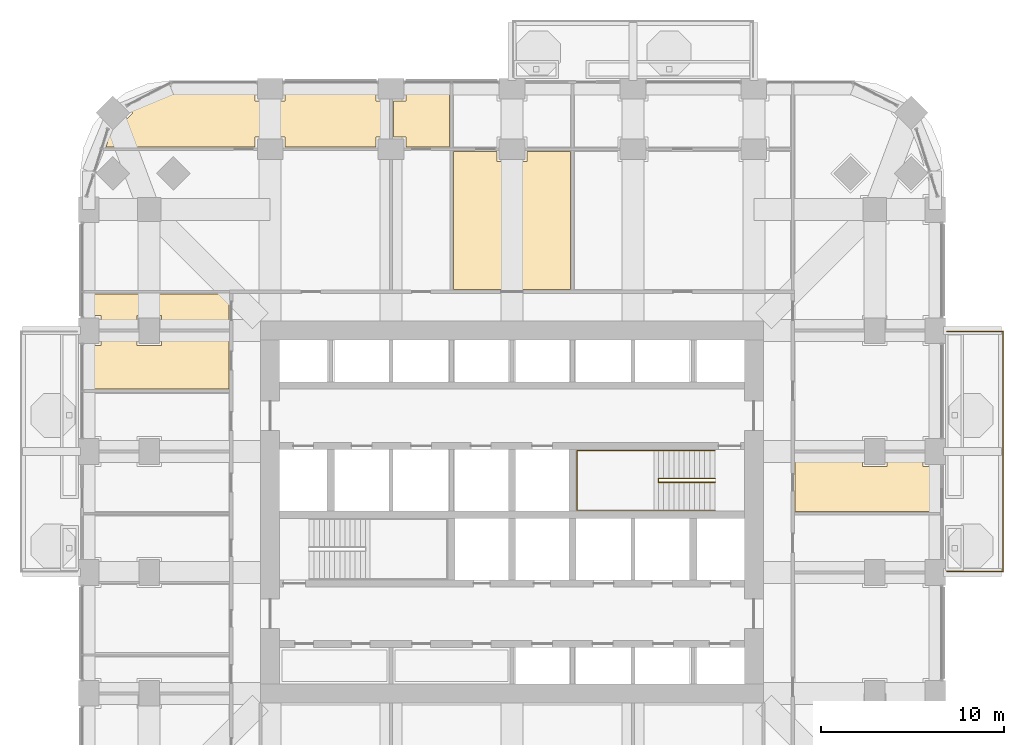
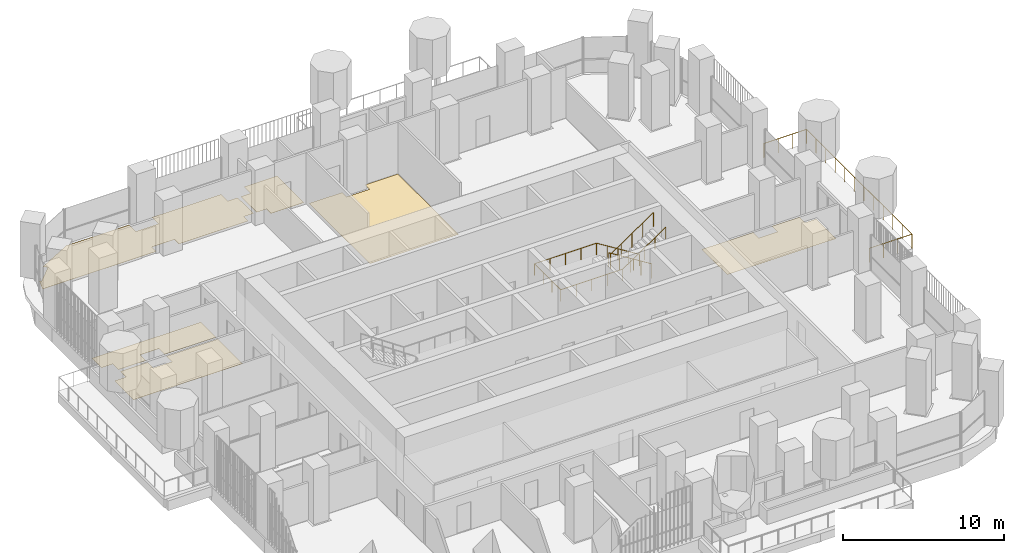
# One storey, part 20 of 22: 6 coverings, 3 railings.
"""IFC4 building model written with IfcOpenShell, lengths in metres."""

from ifc_helpers import new_model, si_unit, direction, frame, origin, place, context, subcontext, project, spatial, polyline, outline, extrude, material, layer, layer_set, type_object, element, save


model = new_model("IFC4")

# Units and contexts
model_context = context("Model", 3, precision=1e-05, world=origin(), true_north=direction((0.0, 1.0)))
body_context = subcontext(model_context, "Body", "Model", "MODEL_VIEW")
ifc_project = project(units=[si_unit("LENGTHUNIT", "METRE"), si_unit("AREAUNIT", "SQUARE_METRE"), si_unit("VOLUMEUNIT", "CUBIC_METRE"), si_unit("PLANEANGLEUNIT", "RADIAN"), si_unit("MASSUNIT", "GRAM", prefix="KILO")], contexts=[model_context])

# Site, building, storey
site_placement = place(None, origin())
site = spatial("IfcSite", under=ifc_project, at=site_placement, CompositionType="ELEMENT")
building_placement = place(site_placement, origin())
building = spatial("IfcBuilding", under=site, at=building_placement, Name="Cobogo Forest Laboratory Tower", CompositionType="ELEMENT")
storey_placement = place(building_placement, frame((0.0, 0.0, 111.60009765625)))
storey = spatial("IfcBuildingStorey", under=building, at=storey_placement, Name="L25", CompositionType="ELEMENT", Elevation=111.60009765625)

# Railing
ifc_material_1 = material(Name="Laminated glass balustrade", Category="glass")
railing_type_1 = type_object("IfcRailingType", Name="BG1 glass balustrade 1100", PredefinedType="GUARDRAIL", material=ifc_material_1)
railing_1_placement = place(storey_placement, frame((50.14990234375, 19.85009765625, 0.0)))
element("IfcRailing", 1, at=railing_1_placement, inside=storey, type_object=railing_type_1, Name="Balcony balustrade BAL-E1 L25", PredefinedType="GUARDRAIL", context=body_context, shape_type="SweptSolid", body=[
    extrude(outline(polyline([(0.022216796875, 0.00927734375), (0.00927734375, 0.022216796875), (-0.00927734375, 0.022216796875), (-0.022216796875, 0.00927734375), (-0.022216796875, -0.00927734375), (-0.00927734375, -0.022216796875), (0.00927734375, -0.022216796875), (0.022216796875, -0.00927734375), (0.022216796875, 0.00927734375)])), frame((0.0, 0.0, 1.077880859375), z_axis=(1.0, 0.0, 0.0), x_axis=(0.0, 1.0, 0.0)), (0.0, 0.0, 1.0), 3.050048828125),
    extrude(outline(polyline([(0.022216796875, 0.00927734375), (0.00927734375, 0.022216796875), (-0.00927734375, 0.022216796875), (-0.022216796875, 0.00927734375), (-0.022216796875, -0.00927734375), (-0.00927734375, -0.022216796875), (0.00927734375, -0.022216796875), (0.022216796875, -0.00927734375), (0.022216796875, 0.00927734375)])), frame((3.050048828125, 0.0, 1.077880859375), z_axis=(0.0, 1.0, 0.0), x_axis=(-1.0, 0.0, 0.0)), (0.0, 0.0, 1.0), 13.099853515625),
    extrude(outline(polyline([(0.022216796875, 0.00927734375), (0.00927734375, 0.022216796875), (-0.00927734375, 0.022216796875), (-0.022216796875, 0.00927734375), (-0.022216796875, -0.00927734375), (-0.00927734375, -0.022216796875), (0.00927734375, -0.022216796875), (0.022216796875, -0.00927734375), (0.022216796875, 0.00927734375)])), frame((3.050048828125, 13.099853515625, 1.077880859375), z_axis=(-1.0, 0.0, 0.0), x_axis=(0.0, -1.0, 0.0)), (0.0, 0.0, 1.0), 3.050048828125),
    extrude(outline(polyline([(0.019287109375, 0.008056640625), (0.008056640625, 0.019287109375), (-0.008056640625, 0.019287109375), (-0.019287109375, 0.008056640625), (-0.019287109375, -0.008056640625), (-0.008056640625, -0.019287109375), (0.008056640625, -0.019287109375), (0.019287109375, -0.008056640625), (0.019287109375, 0.008056640625)])), origin(), (0.0, 0.0, 1.0), 1.077880859375),
    extrude(outline(polyline([(0.019287109375, 0.008056640625), (0.008056640625, 0.019287109375), (-0.008056640625, 0.019287109375), (-0.019287109375, 0.008056640625), (-0.019287109375, -0.008056640625), (-0.008056640625, -0.019287109375), (0.008056640625, -0.019287109375), (0.019287109375, -0.008056640625), (0.019287109375, 0.008056640625)])), frame((1.0166015625, 0.0, 0.0)), (0.0, 0.0, 1.0), 1.077880859375),
    extrude(outline(polyline([(0.019287109375, 0.008056640625), (0.008056640625, 0.019287109375), (-0.008056640625, 0.019287109375), (-0.019287109375, 0.008056640625), (-0.019287109375, -0.008056640625), (-0.008056640625, -0.019287109375), (0.008056640625, -0.019287109375), (0.019287109375, -0.008056640625), (0.019287109375, 0.008056640625)])), frame((2.033447265625, 0.0, 0.0)), (0.0, 0.0, 1.0), 1.077880859375),
    extrude(outline(polyline([(0.019287109375, 0.008056640625), (0.008056640625, 0.019287109375), (-0.008056640625, 0.019287109375), (-0.019287109375, 0.008056640625), (-0.019287109375, -0.008056640625), (-0.008056640625, -0.019287109375), (0.008056640625, -0.019287109375), (0.019287109375, -0.008056640625), (0.019287109375, 0.008056640625)])), frame((3.050048828125, 0.0, 0.0)), (0.0, 0.0, 1.0), 1.077880859375),
    extrude(outline(polyline([(0.019287109375, 0.008056640625), (0.008056640625, 0.019287109375), (-0.008056640625, 0.019287109375), (-0.019287109375, 0.008056640625), (-0.019287109375, -0.008056640625), (-0.008056640625, -0.019287109375), (0.008056640625, -0.019287109375), (0.019287109375, -0.008056640625), (0.019287109375, 0.008056640625)])), frame((3.050048828125, 1.19091796875, 0.0)), (0.0, 0.0, 1.0), 1.077880859375),
    extrude(outline(polyline([(0.019287109375, 0.008056640625), (0.008056640625, 0.019287109375), (-0.008056640625, 0.019287109375), (-0.019287109375, 0.008056640625), (-0.019287109375, -0.008056640625), (-0.008056640625, -0.019287109375), (0.008056640625, -0.019287109375), (0.019287109375, -0.008056640625), (0.019287109375, 0.008056640625)])), frame((3.050048828125, 2.3818359375, 0.0)), (0.0, 0.0, 1.0), 1.077880859375),
    extrude(outline(polyline([(0.019287109375, 0.008056640625), (0.008056640625, 0.019287109375), (-0.008056640625, 0.019287109375), (-0.019287109375, 0.008056640625), (-0.019287109375, -0.008056640625), (-0.008056640625, -0.019287109375), (0.008056640625, -0.019287109375), (0.019287109375, -0.008056640625), (0.019287109375, 0.008056640625)])), frame((3.050048828125, 3.57275390625, 0.0)), (0.0, 0.0, 1.0), 1.077880859375),
    extrude(outline(polyline([(0.019287109375, 0.008056640625), (0.008056640625, 0.019287109375), (-0.008056640625, 0.019287109375), (-0.019287109375, 0.008056640625), (-0.019287109375, -0.008056640625), (-0.008056640625, -0.019287109375), (0.008056640625, -0.019287109375), (0.019287109375, -0.008056640625), (0.019287109375, 0.008056640625)])), frame((3.050048828125, 4.763671875, 0.0)), (0.0, 0.0, 1.0), 1.077880859375),
    extrude(outline(polyline([(0.019287109375, 0.008056640625), (0.008056640625, 0.019287109375), (-0.008056640625, 0.019287109375), (-0.019287109375, 0.008056640625), (-0.019287109375, -0.008056640625), (-0.008056640625, -0.019287109375), (0.008056640625, -0.019287109375), (0.019287109375, -0.008056640625), (0.019287109375, 0.008056640625)])), frame((3.050048828125, 5.95458984375, 0.0)), (0.0, 0.0, 1.0), 1.077880859375),
    extrude(outline(polyline([(0.019287109375, 0.008056640625), (0.008056640625, 0.019287109375), (-0.008056640625, 0.019287109375), (-0.019287109375, 0.008056640625), (-0.019287109375, -0.008056640625), (-0.008056640625, -0.019287109375), (0.008056640625, -0.019287109375), (0.019287109375, -0.008056640625), (0.019287109375, 0.008056640625)])), frame((3.050048828125, 7.145263671875, 0.0)), (0.0, 0.0, 1.0), 1.077880859375),
    extrude(outline(polyline([(0.019287109375, 0.008056640625), (0.008056640625, 0.019287109375), (-0.008056640625, 0.019287109375), (-0.019287109375, 0.008056640625), (-0.019287109375, -0.008056640625), (-0.008056640625, -0.019287109375), (0.008056640625, -0.019287109375), (0.019287109375, -0.008056640625), (0.019287109375, 0.008056640625)])), frame((3.050048828125, 8.336181640625, 0.0)), (0.0, 0.0, 1.0), 1.077880859375),
    extrude(outline(polyline([(0.019287109375, 0.008056640625), (0.008056640625, 0.019287109375), (-0.008056640625, 0.019287109375), (-0.019287109375, 0.008056640625), (-0.019287109375, -0.008056640625), (-0.008056640625, -0.019287109375), (0.008056640625, -0.019287109375), (0.019287109375, -0.008056640625), (0.019287109375, 0.008056640625)])), frame((3.050048828125, 9.527099609375, 0.0)), (0.0, 0.0, 1.0), 1.077880859375),
    extrude(outline(polyline([(0.019287109375, 0.008056640625), (0.008056640625, 0.019287109375), (-0.008056640625, 0.019287109375), (-0.019287109375, 0.008056640625), (-0.019287109375, -0.008056640625), (-0.008056640625, -0.019287109375), (0.008056640625, -0.019287109375), (0.019287109375, -0.008056640625), (0.019287109375, 0.008056640625)])), frame((3.050048828125, 10.718017578125, 0.0)), (0.0, 0.0, 1.0), 1.077880859375),
    extrude(outline(polyline([(0.019287109375, 0.008056640625), (0.008056640625, 0.019287109375), (-0.008056640625, 0.019287109375), (-0.019287109375, 0.008056640625), (-0.019287109375, -0.008056640625), (-0.008056640625, -0.019287109375), (0.008056640625, -0.019287109375), (0.019287109375, -0.008056640625), (0.019287109375, 0.008056640625)])), frame((3.050048828125, 11.908935546875, 0.0)), (0.0, 0.0, 1.0), 1.077880859375),
    extrude(outline(polyline([(0.019287109375, 0.008056640625), (0.008056640625, 0.019287109375), (-0.008056640625, 0.019287109375), (-0.019287109375, 0.008056640625), (-0.019287109375, -0.008056640625), (-0.008056640625, -0.019287109375), (0.008056640625, -0.019287109375), (0.019287109375, -0.008056640625), (0.019287109375, 0.008056640625)])), frame((3.050048828125, 13.099853515625, 0.0)), (0.0, 0.0, 1.0), 1.077880859375),
    extrude(outline(polyline([(0.019287109375, 0.008056640625), (0.008056640625, 0.019287109375), (-0.008056640625, 0.019287109375), (-0.019287109375, 0.008056640625), (-0.019287109375, -0.008056640625), (-0.008056640625, -0.019287109375), (0.008056640625, -0.019287109375), (0.019287109375, -0.008056640625), (0.019287109375, 0.008056640625)])), frame((2.033447265625, 13.099853515625, 0.0)), (0.0, 0.0, 1.0), 1.077880859375),
    extrude(outline(polyline([(0.019287109375, 0.008056640625), (0.008056640625, 0.019287109375), (-0.008056640625, 0.019287109375), (-0.019287109375, 0.008056640625), (-0.019287109375, -0.008056640625), (-0.008056640625, -0.019287109375), (0.008056640625, -0.019287109375), (0.019287109375, -0.008056640625), (0.019287109375, 0.008056640625)])), frame((1.0166015625, 13.099853515625, 0.0)), (0.0, 0.0, 1.0), 1.077880859375),
    extrude(outline(polyline([(0.019287109375, 0.008056640625), (0.008056640625, 0.019287109375), (-0.008056640625, 0.019287109375), (-0.019287109375, 0.008056640625), (-0.019287109375, -0.008056640625), (-0.008056640625, -0.019287109375), (0.008056640625, -0.019287109375), (0.019287109375, -0.008056640625), (0.019287109375, 0.008056640625)])), frame((0.0, 13.099853515625, 0.0)), (0.0, 0.0, 1.0), 1.077880859375),
])

# Coverings
ifc_material_2 = material(Name="Carpet tile on raised access floor", Category="flooring")
ifc_layer_1 = layer(ifc_material_2, 0.008056640625)
ifc_layer_set_1 = layer_set([ifc_layer_1], Name="CT1 carpet tile floor 8")
covering_type_1 = type_object("IfcCoveringType", Name="CT1 carpet tile floor 8", PredefinedType="FLOORING", material=ifc_layer_set_1)
covering_1_placement = place(storey_placement, origin())
element("IfcCovering", 2, at=covering_1_placement, inside=storey, type_object=covering_type_1, Name="Carpet floor L25-15", PredefinedType="FLOORING", context=body_context, shape_type="SweptSolid", body=[
    extrude(outline(polyline([(14.02001953125, 43.02001953125), (14.02001953125, 43.570068359375), (12.3798828125, 43.570068359375), (12.3798828125, 43.02001953125), (4.23974609375, 43.02001953125), (4.51611328125, 43.89501953125), (4.617919921875, 43.79296875), (5.70703125, 44.882080078125), (5.480712890625, 45.1083984375), (7.84912109375, 46.35009765625), (12.3798828125, 46.35009765625), (12.3798828125, 45.530029296875), (14.02001953125, 45.530029296875), (14.02001953125, 46.35009765625), (18.97998046875, 46.35009765625), (18.97998046875, 45.530029296875), (19.679931640625, 45.530029296875), (19.679931640625, 43.570068359375), (18.97998046875, 43.570068359375), (18.97998046875, 43.02001953125), (14.02001953125, 43.02001953125)])), origin(), (0.0, 0.0, 1.0), 0.0078125),
])
covering_2_placement = place(storey_placement, origin())
element("IfcCovering", 3, at=covering_2_placement, inside=storey, type_object=covering_type_1, Name="Carpet floor L25-17", PredefinedType="FLOORING", context=body_context, shape_type="SweptSolid", body=[
    extrude(outline(polyline([(20.6201171875, 43.02001953125), (20.6201171875, 43.570068359375), (19.919921875, 43.570068359375), (19.919921875, 45.530029296875), (20.6201171875, 45.530029296875), (20.6201171875, 46.35009765625), (22.97998046875, 46.35009765625), (22.97998046875, 43.02001953125), (20.6201171875, 43.02001953125)])), origin(), (0.0, 0.0, 1.0), 0.0078125),
])
covering_3_placement = place(storey_placement, origin())
element("IfcCovering", 4, at=covering_3_placement, inside=storey, type_object=covering_type_1, Name="Carpet floor L25-28", PredefinedType="FLOORING", context=body_context, shape_type="SweptSolid", body=[
    extrude(outline(polyline([(10.955078125, 29.820068359375), (3.14990234375, 29.820068359375), (3.14990234375, 32.179931640625), (3.969970703125, 32.179931640625), (3.969970703125, 32.8798828125), (5.929931640625, 32.8798828125), (5.929931640625, 32.179931640625), (7.27001953125, 32.179931640625), (7.27001953125, 32.8798828125), (10.955078125, 32.8798828125), (10.955078125, 29.820068359375)])), origin(), (0.0, 0.0, 1.0), 0.0078125),
])
covering_4_placement = place(storey_placement, origin())
element("IfcCovering", 5, at=covering_4_placement, inside=storey, type_object=covering_type_1, Name="Carpet floor L25-29", PredefinedType="FLOORING", context=body_context, shape_type="SweptSolid", body=[
    extrude(outline(polyline([(10.955078125, 33.1201171875), (7.27001953125, 33.1201171875), (7.27001953125, 33.820068359375), (5.929931640625, 33.820068359375), (5.929931640625, 33.1201171875), (3.969970703125, 33.1201171875), (3.969970703125, 33.820068359375), (3.14990234375, 33.820068359375), (3.14990234375, 35.0048828125), (10.955078125, 35.0048828125), (10.955078125, 33.1201171875)])), origin(), (0.0, 0.0, 1.0), 0.0078125),
])

# Railings
ifc_material_3 = material(Name="Steel balustrade", Category="steel")
railing_type_2 = type_object("IfcRailingType", Name="GR stair guard 1100", PredefinedType="GUARDRAIL", material=ifc_material_3)
railing_2_placement = place(storey_placement, frame((37.47509765625, 24.929931640625, 0.1748046875)))
element("IfcRailing", 6, at=railing_2_placement, inside=storey, type_object=railing_type_2, Name="Stair guard ST2 L25", PredefinedType="GUARDRAIL", context=body_context, shape_type="SweptSolid", body=[
    extrude(outline(polyline([(0.022216796875, 0.00927734375), (0.00927734375, 0.022216796875), (-0.00927734375, 0.022216796875), (-0.022216796875, 0.00927734375), (-0.022216796875, -0.00927734375), (-0.00927734375, -0.022216796875), (0.00927734375, -0.022216796875), (0.022216796875, -0.00927734375), (0.022216796875, 0.00927734375)])), frame((0.0, 0.0, 1.077880859375), z_axis=(-0.847998304005, 0.0, 0.529998940003), x_axis=(0.0, -1.0, 0.0)), (0.0, 0.0, 1.0), 3.632080078125),
    extrude(outline(polyline([(0.022216796875, 0.00927734375), (0.00927734375, 0.022216796875), (-0.00927734375, 0.022216796875), (-0.022216796875, 0.00927734375), (-0.022216796875, -0.00927734375), (-0.00927734375, -0.022216796875), (0.00927734375, -0.022216796875), (0.022216796875, -0.00927734375), (0.022216796875, 0.00927734375)])), frame((-3.080078125, 0.0, 3.0029296875), z_axis=(0.0, -1.0, 0.0), x_axis=(1.0, 0.0, 0.0)), (0.0, 0.0, 1.0), 0.2099609375),
    extrude(outline(polyline([(0.022216796875, 0.00927734375), (0.00927734375, 0.022216796875), (-0.00927734375, 0.022216796875), (-0.022216796875, 0.00927734375), (-0.022216796875, -0.00927734375), (-0.00927734375, -0.022216796875), (0.00927734375, -0.022216796875), (0.022216796875, -0.00927734375), (0.022216796875, 0.00927734375)])), frame((-3.080078125, -0.2099609375, 3.0029296875), z_axis=(0.826221800596, 0.0, 0.563344953133), x_axis=(0.0, 1.0, 0.0)), (0.0, 0.0, 1.0), 3.72802734375),
    extrude(outline(polyline([(0.019287109375, 0.008056640625), (0.008056640625, 0.019287109375), (-0.008056640625, 0.019287109375), (-0.019287109375, 0.008056640625), (-0.019287109375, -0.008056640625), (-0.008056640625, -0.019287109375), (0.008056640625, -0.019287109375), (0.019287109375, -0.008056640625), (0.019287109375, 0.008056640625)])), origin(), (0.0, 0.0, 1.0), 1.077880859375),
    extrude(outline(polyline([(0.019287109375, 0.008056640625), (0.008056640625, 0.019287109375), (-0.008056640625, 0.019287109375), (-0.019287109375, 0.008056640625), (-0.019287109375, -0.008056640625), (-0.008056640625, -0.019287109375), (0.008056640625, -0.019287109375), (0.019287109375, -0.008056640625), (0.019287109375, 0.008056640625)])), frame((-0.77001953125, 0.0, 0.481201171875)), (0.0, 0.0, 1.0), 1.077880859375),
    extrude(outline(polyline([(0.019287109375, 0.008056640625), (0.008056640625, 0.019287109375), (-0.008056640625, 0.019287109375), (-0.019287109375, 0.008056640625), (-0.019287109375, -0.008056640625), (-0.008056640625, -0.019287109375), (0.008056640625, -0.019287109375), (0.019287109375, -0.008056640625), (0.019287109375, 0.008056640625)])), frame((-1.5400390625, 0.0, 0.96240234375)), (0.0, 0.0, 1.0), 1.077880859375),
    extrude(outline(polyline([(0.019287109375, 0.008056640625), (0.008056640625, 0.019287109375), (-0.008056640625, 0.019287109375), (-0.019287109375, 0.008056640625), (-0.019287109375, -0.008056640625), (-0.008056640625, -0.019287109375), (0.008056640625, -0.019287109375), (0.019287109375, -0.008056640625), (0.019287109375, 0.008056640625)])), frame((-2.31005859375, 0.0, 1.44384765625)), (0.0, 0.0, 1.0), 1.077880859375),
    extrude(outline(polyline([(0.019287109375, 0.008056640625), (0.008056640625, 0.019287109375), (-0.008056640625, 0.019287109375), (-0.019287109375, 0.008056640625), (-0.019287109375, -0.008056640625), (-0.008056640625, -0.019287109375), (0.008056640625, -0.019287109375), (0.019287109375, -0.008056640625), (0.019287109375, 0.008056640625)])), frame((-3.080078125, 0.0, 1.925048828125)), (0.0, 0.0, 1.0), 1.077880859375),
    extrude(outline(polyline([(0.019287109375, 0.008056640625), (0.008056640625, 0.019287109375), (-0.008056640625, 0.019287109375), (-0.019287109375, 0.008056640625), (-0.019287109375, -0.008056640625), (-0.008056640625, -0.019287109375), (0.008056640625, -0.019287109375), (0.019287109375, -0.008056640625), (0.019287109375, 0.008056640625)])), frame((-3.080078125, -0.2099609375, 1.925048828125)), (0.0, 0.0, 1.0), 1.077880859375),
    extrude(outline(polyline([(0.019287109375, 0.008056640625), (0.008056640625, 0.019287109375), (-0.008056640625, 0.019287109375), (-0.019287109375, 0.008056640625), (-0.019287109375, -0.008056640625), (-0.008056640625, -0.019287109375), (0.008056640625, -0.019287109375), (0.019287109375, -0.008056640625), (0.019287109375, 0.008056640625)])), frame((-2.31005859375, -0.2099609375, 2.4501953125)), (0.0, 0.0, 1.0), 1.077880859375),
    extrude(outline(polyline([(0.019287109375, 0.008056640625), (0.008056640625, 0.019287109375), (-0.008056640625, 0.019287109375), (-0.019287109375, 0.008056640625), (-0.019287109375, -0.008056640625), (-0.008056640625, -0.019287109375), (0.008056640625, -0.019287109375), (0.019287109375, -0.008056640625), (0.019287109375, 0.008056640625)])), frame((-1.5400390625, -0.2099609375, 2.97509765625)), (0.0, 0.0, 1.0), 1.077880859375),
    extrude(outline(polyline([(0.019287109375, 0.008056640625), (0.008056640625, 0.019287109375), (-0.008056640625, 0.019287109375), (-0.019287109375, 0.008056640625), (-0.019287109375, -0.008056640625), (-0.008056640625, -0.019287109375), (0.008056640625, -0.019287109375), (0.019287109375, -0.008056640625), (0.019287109375, 0.008056640625)])), frame((-0.77001953125, -0.2099609375, 3.5)), (0.0, 0.0, 1.0), 1.077880859375),
    extrude(outline(polyline([(0.019287109375, 0.008056640625), (0.008056640625, 0.019287109375), (-0.008056640625, 0.019287109375), (-0.019287109375, 0.008056640625), (-0.019287109375, -0.008056640625), (-0.008056640625, -0.019287109375), (0.008056640625, -0.019287109375), (0.019287109375, -0.008056640625), (0.019287109375, 0.008056640625)])), frame((0.0, -0.2099609375, 4.025146484375)), (0.0, 0.0, 1.0), 1.077880859375),
])
ifc_material_4 = material(Name="Stainless steel handrail", Category="steel")
railing_type_3 = type_object("IfcRailingType", Name="HR handrail 900", PredefinedType="HANDRAIL", material=ifc_material_4)
railing_3_placement = place(storey_placement, frame((37.47509765625, 26.449951171875, 0.1748046875)))
element("IfcRailing", 7, at=railing_3_placement, inside=storey, type_object=railing_type_3, Name="Stair handrail ST2 L25", PredefinedType="HANDRAIL", context=body_context, shape_type="SweptSolid", body=[
    extrude(outline(polyline([(0.022216796875, 0.00927734375), (0.00927734375, 0.022216796875), (-0.00927734375, 0.022216796875), (-0.022216796875, 0.00927734375), (-0.022216796875, -0.00927734375), (-0.00927734375, -0.022216796875), (0.00927734375, -0.022216796875), (0.022216796875, -0.00927734375), (0.022216796875, 0.00927734375)])), frame((0.0, 0.0, 0.877685546875), z_axis=(-0.847998304005, 0.0, 0.529998940003), x_axis=(0.0, -1.0, 0.0)), (0.0, 0.0, 1.0), 3.632080078125),
    extrude(outline(polyline([(0.022216796875, 0.00927734375), (0.00927734375, 0.022216796875), (-0.00927734375, 0.022216796875), (-0.022216796875, 0.00927734375), (-0.022216796875, -0.00927734375), (-0.00927734375, -0.022216796875), (0.00927734375, -0.022216796875), (0.022216796875, -0.00927734375), (0.022216796875, 0.00927734375)])), frame((-3.080078125, 0.0, 2.802734375), z_axis=(-1.0, 0.0, 0.0), x_axis=(0.0, -1.0, 0.0)), (0.0, 0.0, 1.0), 4.445068359375),
    extrude(outline(polyline([(0.022216796875, 0.00927734375), (0.00927734375, 0.022216796875), (-0.00927734375, 0.022216796875), (-0.022216796875, 0.00927734375), (-0.022216796875, -0.00927734375), (-0.00927734375, -0.022216796875), (0.00927734375, -0.022216796875), (0.022216796875, -0.00927734375), (0.022216796875, 0.00927734375)])), frame((-7.525146484375, 0.0, 2.802734375), z_axis=(0.0, -1.0, 0.0), x_axis=(1.0, 0.0, 0.0)), (0.0, 0.0, 1.0), 3.25),
    extrude(outline(polyline([(0.022216796875, 0.00927734375), (0.00927734375, 0.022216796875), (-0.00927734375, 0.022216796875), (-0.022216796875, 0.00927734375), (-0.022216796875, -0.00927734375), (-0.00927734375, -0.022216796875), (0.00927734375, -0.022216796875), (0.022216796875, -0.00927734375), (0.022216796875, 0.00927734375)])), frame((-7.525146484375, -3.25, 2.802734375), z_axis=(1.0, 0.0, 0.0), x_axis=(0.0, 1.0, 0.0)), (0.0, 0.0, 1.0), 4.445068359375),
    extrude(outline(polyline([(0.022216796875, 0.00927734375), (0.00927734375, 0.022216796875), (-0.00927734375, 0.022216796875), (-0.022216796875, 0.00927734375), (-0.022216796875, -0.00927734375), (-0.00927734375, -0.022216796875), (0.00927734375, -0.022216796875), (0.022216796875, -0.00927734375), (0.022216796875, 0.00927734375)])), frame((-3.080078125, -3.25, 2.802734375), z_axis=(0.826221800596, 0.0, 0.563344953133), x_axis=(0.0, 1.0, 0.0)), (0.0, 0.0, 1.0), 3.72802734375),
    extrude(outline(polyline([(0.019287109375, 0.008056640625), (0.008056640625, 0.019287109375), (-0.008056640625, 0.019287109375), (-0.019287109375, 0.008056640625), (-0.019287109375, -0.008056640625), (-0.008056640625, -0.019287109375), (0.008056640625, -0.019287109375), (0.019287109375, -0.008056640625), (0.019287109375, 0.008056640625)])), origin(), (0.0, 0.0, 1.0), 0.877685546875),
    extrude(outline(polyline([(0.019287109375, 0.008056640625), (0.008056640625, 0.019287109375), (-0.008056640625, 0.019287109375), (-0.019287109375, 0.008056640625), (-0.019287109375, -0.008056640625), (-0.008056640625, -0.019287109375), (0.008056640625, -0.019287109375), (0.019287109375, -0.008056640625), (0.019287109375, 0.008056640625)])), frame((-0.77001953125, 0.0, 0.481201171875)), (0.0, 0.0, 1.0), 0.877685546875),
    extrude(outline(polyline([(0.019287109375, 0.008056640625), (0.008056640625, 0.019287109375), (-0.008056640625, 0.019287109375), (-0.019287109375, 0.008056640625), (-0.019287109375, -0.008056640625), (-0.008056640625, -0.019287109375), (0.008056640625, -0.019287109375), (0.019287109375, -0.008056640625), (0.019287109375, 0.008056640625)])), frame((-1.5400390625, 0.0, 0.96240234375)), (0.0, 0.0, 1.0), 0.877685546875),
    extrude(outline(polyline([(0.019287109375, 0.008056640625), (0.008056640625, 0.019287109375), (-0.008056640625, 0.019287109375), (-0.019287109375, 0.008056640625), (-0.019287109375, -0.008056640625), (-0.008056640625, -0.019287109375), (0.008056640625, -0.019287109375), (0.019287109375, -0.008056640625), (0.019287109375, 0.008056640625)])), frame((-2.31005859375, 0.0, 1.44384765625)), (0.0, 0.0, 1.0), 0.877685546875),
    extrude(outline(polyline([(0.019287109375, 0.008056640625), (0.008056640625, 0.019287109375), (-0.008056640625, 0.019287109375), (-0.019287109375, 0.008056640625), (-0.019287109375, -0.008056640625), (-0.008056640625, -0.019287109375), (0.008056640625, -0.019287109375), (0.019287109375, -0.008056640625), (0.019287109375, 0.008056640625)])), frame((-3.080078125, 0.0, 1.925048828125)), (0.0, 0.0, 1.0), 0.877685546875),
    extrude(outline(polyline([(0.019287109375, 0.008056640625), (0.008056640625, 0.019287109375), (-0.008056640625, 0.019287109375), (-0.019287109375, 0.008056640625), (-0.019287109375, -0.008056640625), (-0.008056640625, -0.019287109375), (0.008056640625, -0.019287109375), (0.019287109375, -0.008056640625), (0.019287109375, 0.008056640625)])), frame((-4.19140625, 0.0, 1.925048828125)), (0.0, 0.0, 1.0), 0.877685546875),
    extrude(outline(polyline([(0.019287109375, 0.008056640625), (0.008056640625, 0.019287109375), (-0.008056640625, 0.019287109375), (-0.019287109375, 0.008056640625), (-0.019287109375, -0.008056640625), (-0.008056640625, -0.019287109375), (0.008056640625, -0.019287109375), (0.019287109375, -0.008056640625), (0.019287109375, 0.008056640625)])), frame((-5.302734375, 0.0, 1.925048828125)), (0.0, 0.0, 1.0), 0.877685546875),
    extrude(outline(polyline([(0.019287109375, 0.008056640625), (0.008056640625, 0.019287109375), (-0.008056640625, 0.019287109375), (-0.019287109375, 0.008056640625), (-0.019287109375, -0.008056640625), (-0.008056640625, -0.019287109375), (0.008056640625, -0.019287109375), (0.019287109375, -0.008056640625), (0.019287109375, 0.008056640625)])), frame((-6.413818359375, 0.0, 1.925048828125)), (0.0, 0.0, 1.0), 0.877685546875),
    extrude(outline(polyline([(0.019287109375, 0.008056640625), (0.008056640625, 0.019287109375), (-0.008056640625, 0.019287109375), (-0.019287109375, 0.008056640625), (-0.019287109375, -0.008056640625), (-0.008056640625, -0.019287109375), (0.008056640625, -0.019287109375), (0.019287109375, -0.008056640625), (0.019287109375, 0.008056640625)])), frame((-7.525146484375, 0.0, 1.925048828125)), (0.0, 0.0, 1.0), 0.877685546875),
    extrude(outline(polyline([(0.019287109375, 0.008056640625), (0.008056640625, 0.019287109375), (-0.008056640625, 0.019287109375), (-0.019287109375, 0.008056640625), (-0.019287109375, -0.008056640625), (-0.008056640625, -0.019287109375), (0.008056640625, -0.019287109375), (0.019287109375, -0.008056640625), (0.019287109375, 0.008056640625)])), frame((-7.525146484375, -1.083251953125, 1.925048828125)), (0.0, 0.0, 1.0), 0.877685546875),
    extrude(outline(polyline([(0.019287109375, 0.008056640625), (0.008056640625, 0.019287109375), (-0.008056640625, 0.019287109375), (-0.019287109375, 0.008056640625), (-0.019287109375, -0.008056640625), (-0.008056640625, -0.019287109375), (0.008056640625, -0.019287109375), (0.019287109375, -0.008056640625), (0.019287109375, 0.008056640625)])), frame((-7.525146484375, -2.166748046875, 1.925048828125)), (0.0, 0.0, 1.0), 0.877685546875),
    extrude(outline(polyline([(0.019287109375, 0.008056640625), (0.008056640625, 0.019287109375), (-0.008056640625, 0.019287109375), (-0.019287109375, 0.008056640625), (-0.019287109375, -0.008056640625), (-0.008056640625, -0.019287109375), (0.008056640625, -0.019287109375), (0.019287109375, -0.008056640625), (0.019287109375, 0.008056640625)])), frame((-7.525146484375, -3.25, 1.925048828125)), (0.0, 0.0, 1.0), 0.877685546875),
    extrude(outline(polyline([(0.019287109375, 0.008056640625), (0.008056640625, 0.019287109375), (-0.008056640625, 0.019287109375), (-0.019287109375, 0.008056640625), (-0.019287109375, -0.008056640625), (-0.008056640625, -0.019287109375), (0.008056640625, -0.019287109375), (0.019287109375, -0.008056640625), (0.019287109375, 0.008056640625)])), frame((-6.413818359375, -3.25, 1.925048828125)), (0.0, 0.0, 1.0), 0.877685546875),
    extrude(outline(polyline([(0.019287109375, 0.008056640625), (0.008056640625, 0.019287109375), (-0.008056640625, 0.019287109375), (-0.019287109375, 0.008056640625), (-0.019287109375, -0.008056640625), (-0.008056640625, -0.019287109375), (0.008056640625, -0.019287109375), (0.019287109375, -0.008056640625), (0.019287109375, 0.008056640625)])), frame((-5.302734375, -3.25, 1.925048828125)), (0.0, 0.0, 1.0), 0.877685546875),
    extrude(outline(polyline([(0.019287109375, 0.008056640625), (0.008056640625, 0.019287109375), (-0.008056640625, 0.019287109375), (-0.019287109375, 0.008056640625), (-0.019287109375, -0.008056640625), (-0.008056640625, -0.019287109375), (0.008056640625, -0.019287109375), (0.019287109375, -0.008056640625), (0.019287109375, 0.008056640625)])), frame((-4.19140625, -3.25, 1.925048828125)), (0.0, 0.0, 1.0), 0.877685546875),
    extrude(outline(polyline([(0.019287109375, 0.008056640625), (0.008056640625, 0.019287109375), (-0.008056640625, 0.019287109375), (-0.019287109375, 0.008056640625), (-0.019287109375, -0.008056640625), (-0.008056640625, -0.019287109375), (0.008056640625, -0.019287109375), (0.019287109375, -0.008056640625), (0.019287109375, 0.008056640625)])), frame((-3.080078125, -3.25, 1.925048828125)), (0.0, 0.0, 1.0), 0.877685546875),
    extrude(outline(polyline([(0.019287109375, 0.008056640625), (0.008056640625, 0.019287109375), (-0.008056640625, 0.019287109375), (-0.019287109375, 0.008056640625), (-0.019287109375, -0.008056640625), (-0.008056640625, -0.019287109375), (0.008056640625, -0.019287109375), (0.019287109375, -0.008056640625), (0.019287109375, 0.008056640625)])), frame((-2.31005859375, -3.25, 2.4501953125)), (0.0, 0.0, 1.0), 0.877685546875),
    extrude(outline(polyline([(0.019287109375, 0.008056640625), (0.008056640625, 0.019287109375), (-0.008056640625, 0.019287109375), (-0.019287109375, 0.008056640625), (-0.019287109375, -0.008056640625), (-0.008056640625, -0.019287109375), (0.008056640625, -0.019287109375), (0.019287109375, -0.008056640625), (0.019287109375, 0.008056640625)])), frame((-1.5400390625, -3.25, 2.97509765625)), (0.0, 0.0, 1.0), 0.877685546875),
    extrude(outline(polyline([(0.019287109375, 0.008056640625), (0.008056640625, 0.019287109375), (-0.008056640625, 0.019287109375), (-0.019287109375, 0.008056640625), (-0.019287109375, -0.008056640625), (-0.008056640625, -0.019287109375), (0.008056640625, -0.019287109375), (0.019287109375, -0.008056640625), (0.019287109375, 0.008056640625)])), frame((-0.77001953125, -3.25, 3.5)), (0.0, 0.0, 1.0), 0.877685546875),
    extrude(outline(polyline([(0.019287109375, 0.008056640625), (0.008056640625, 0.019287109375), (-0.008056640625, 0.019287109375), (-0.019287109375, 0.008056640625), (-0.019287109375, -0.008056640625), (-0.008056640625, -0.019287109375), (0.008056640625, -0.019287109375), (0.019287109375, -0.008056640625), (0.019287109375, 0.008056640625)])), frame((0.0, -3.25, 4.025146484375)), (0.0, 0.0, 1.0), 0.877685546875),
])

# Coverings
ifc_material_5 = material(Name="Epoxy resin flooring", Category="flooring")
ifc_layer_2 = layer(ifc_material_5, 0.00390625)
ifc_layer_set_2 = layer_set([ifc_layer_2], Name="LF1 epoxy laboratory floor 4")
covering_type_2 = type_object("IfcCoveringType", Name="LF1 epoxy laboratory floor 4", PredefinedType="FLOORING", material=ifc_layer_set_2)
covering_5_placement = place(storey_placement, origin())
element("IfcCovering", 8, at=covering_5_placement, inside=storey, type_object=covering_type_2, Name="Epoxy laboratory floor L25-18", PredefinedType="FLOORING", context=body_context, shape_type="SweptSolid", body=[
    extrude(outline(polyline([(23.219970703125, 42.780029296875), (25.580078125, 42.780029296875), (25.580078125, 42.22998046875), (27.219970703125, 42.22998046875), (27.219970703125, 42.780029296875), (29.580078125, 42.780029296875), (29.580078125, 35.2451171875), (23.219970703125, 35.2451171875), (23.219970703125, 42.780029296875)])), origin(), (0.0, 0.0, 1.0), 0.00390625),
])
ifc_material_6 = material(Name="Static-dissipative vinyl flooring", Category="flooring")
ifc_layer_3 = layer(ifc_material_6, 0.0029296875)
ifc_layer_set_3 = layer_set([ifc_layer_3], Name="SD1 static-dissipative vinyl floor 3")
covering_type_3 = type_object("IfcCoveringType", Name="SD1 static-dissipative vinyl floor 3", PredefinedType="FLOORING", material=ifc_layer_set_3)
covering_6_placement = place(storey_placement, origin())
element("IfcCovering", 9, at=covering_6_placement, inside=storey, type_object=covering_type_3, Name="Static-dissipative floor L25-11", PredefinedType="FLOORING", context=body_context, shape_type="SweptSolid", body=[
    extrude(outline(polyline([(41.844970703125, 26.280029296875), (45.530029296875, 26.280029296875), (45.530029296875, 25.580078125), (46.8701171875, 25.580078125), (46.8701171875, 26.280029296875), (48.830078125, 26.280029296875), (48.830078125, 25.580078125), (49.64990234375, 25.580078125), (49.64990234375, 23.1201171875), (41.844970703125, 23.1201171875), (41.844970703125, 26.280029296875)])), origin(), (0.0, 0.0, 1.0), 0.0029296875),
])

save(model, "model.ifc")
